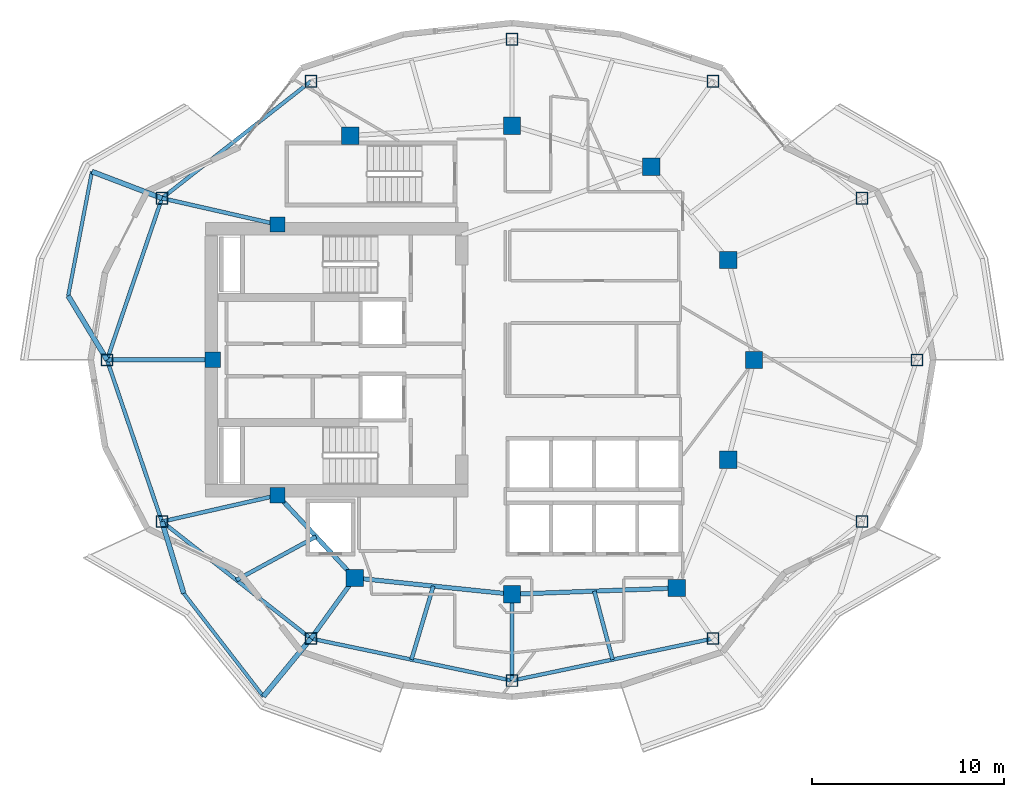
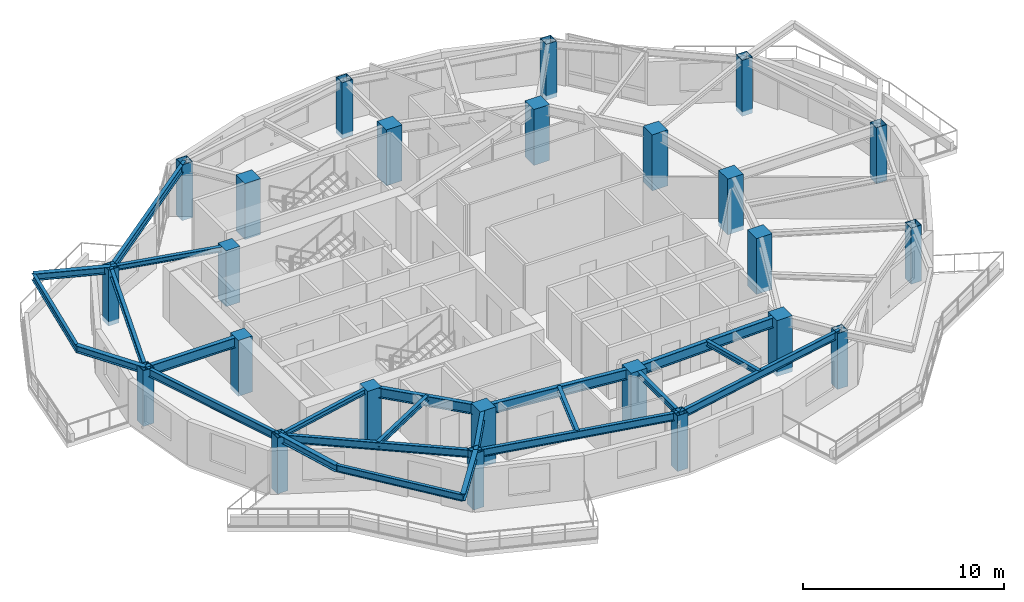
# One storey, part 1 of 13: 24 columns, 23 beams.
"""IFC4 building model written with IfcOpenShell, lengths in metres."""

from ifc_helpers import new_model, si_unit, direction, frame, origin, origin_2d, place, context, subcontext, project, spatial, rectangle, hollow_rectangle, i_section, extrude, material, material_profile, profile_set, type_object, element, save


model = new_model("IFC4")

# Units and contexts
model_context = context("Model", 3, precision=1e-05, world=origin(), true_north=direction((0.0, 1.0)))
body_context = subcontext(model_context, "Body", "Model", "MODEL_VIEW")
ifc_project = project(units=[si_unit("LENGTHUNIT", "METRE"), si_unit("AREAUNIT", "SQUARE_METRE"), si_unit("VOLUMEUNIT", "CUBIC_METRE"), si_unit("PLANEANGLEUNIT", "RADIAN"), si_unit("MASSUNIT", "GRAM", prefix="KILO")], contexts=[model_context])

# Site, building, storey
site_placement = place(None, origin())
site = spatial("IfcSite", under=ifc_project, at=site_placement, CompositionType="ELEMENT")
building_placement = place(site_placement, origin())
building = spatial("IfcBuilding", under=site, at=building_placement, Name="Kolvaren Gate Tower and Convention Centre", CompositionType="ELEMENT")
storey_placement = place(building_placement, frame((0.0, 0.0, 142.699951171875)))
storey = spatial("IfcBuildingStorey", under=building, at=storey_placement, Name="L36", CompositionType="ELEMENT", Elevation=142.699951171875)

# Columns
ifc_material_1 = material(Name="Structural steel ASTM A1085 Grade A 345 MPa", Category="steel")
ifc_material_profile_1 = material_profile(ifc_material_1, hollow_rectangle(XDim=0.610107421875, YDim=0.610107421875, WallThickness=0.025390625, at=origin_2d()), Name="HSS610X610X25.4")
ifc_profile_set_1 = profile_set([ifc_material_profile_1], Name="Structural steel ASTM A1085 Grade A 345 MPa")
column_type_1 = type_object("IfcColumnType", Name="STR-COL-HSS610", PredefinedType="COLUMN", material=ifc_profile_set_1)
for number, where, z_axis, x_axis, name in (
    (1, (51.21240234375, 27.0, -0.27001953125), (0.0, 0.0, 1.0), (1.0, 0.0, 0.0), "Tower L36 Perimeter Supercolumn TP-01"),
    (2, (48.351806640625, 35.418701171875, -0.27001953125), (0.0, 0.0, 1.0), (1.0, 0.0, 0.0), "Tower L36 Perimeter Supercolumn TP-02"),
    (3, (40.596435546875, 41.509521484375, -0.27001953125), (0.0, 0.0, 1.0), (1.0, 0.0, 0.0), "Tower L36 Perimeter Supercolumn TP-03"),
    (4, (30.125, 43.699951171875, -0.27001953125), (0.0, 0.0, 1.0), (1.0, 0.0, 0.0), "Tower L36 Perimeter Supercolumn TP-04"),
    (5, (19.65380859375, 41.509521484375, -0.27001953125), (0.0, 0.0, 1.0), (1.0, 0.0, 0.0), "Tower L36 Perimeter Supercolumn TP-05"),
    (6, (11.898193359375, 35.418701171875, -0.27001953125), (0.0, 0.0, 1.0), (1.0, 0.0, 0.0), "Tower L36 Perimeter Supercolumn TP-06"),
    (7, (9.03759765625, 27.0, -0.27001953125), (0.0, 0.0, 1.0), (1.0, 0.0, 0.0), "Tower L36 Perimeter Supercolumn TP-07"),
    (8, (11.898193359375, 18.581298828125, -0.27001953125), (0.0, 0.0, 1.0), (1.0, 0.0, 0.0), "Tower L36 Perimeter Supercolumn TP-08"),
    (9, (19.653564453125, 12.490478515625, -0.27001953125), (0.0, 0.0, 1.0), (1.0, 0.0, 0.0), "Tower L36 Perimeter Supercolumn TP-09"),
    (10, (30.125, 10.300048828125, -0.27001953125), (0.0, 0.0, 1.0), (1.0, 0.0, 0.0), "Tower L36 Perimeter Supercolumn TP-10"),
    (11, (40.596435546875, 12.490478515625, -0.27001953125), (0.0, 0.0, 1.0), (1.0, 0.0, 0.0), "Tower L36 Perimeter Supercolumn TP-11"),
    (12, (48.351806640625, 18.581298828125, -0.27001953125), (0.0, 0.0, 1.0), (1.0, 0.0, 0.0), "Tower L36 Perimeter Supercolumn TP-12"),
):
    element("IfcColumn", number, at=place(storey_placement, frame(where, z_axis=z_axis, x_axis=x_axis)), inside=storey, type_object=column_type_1, Name=name, PredefinedType="COLUMN", context=body_context, shape_type="SweptSolid", body=[
        extrude(hollow_rectangle(XDim=0.610107421875, YDim=0.610107421875, WallThickness=0.025390625, at=origin_2d()), origin(), (0.0, 0.0, 1.0), 3.400146484375),
    ])
ifc_material_2 = material(Name="Concrete C60/75", Category="concrete")
ifc_material_profile_2 = material_profile(ifc_material_2, rectangle(XDim=0.89990234375, YDim=0.89990234375, at=origin_2d()), Name="RC-COL-900X900")
ifc_profile_set_2 = profile_set([ifc_material_profile_2], Name="Concrete C60/75")
column_type_2 = type_object("IfcColumnType", Name="STR-COL-RC900", PredefinedType="COLUMN", material=ifc_profile_set_2)
for number, where, z_axis, x_axis, name in (
    (13, (42.72509765625, 27.0, -0.27001953125), (0.0, 0.0, 1.0), (1.0, 0.0, 0.0), "Tower L36 Interior Column TI-01"),
    (14, (41.382080078125, 32.199462890625, -0.27001953125), (0.0, 0.0, 1.0), (1.0, 0.0, 0.0), "Tower L36 Interior Column TI-02"),
    (15, (37.381591796875, 37.054931640625, -0.27001953125), (0.0, 0.0, 1.0), (1.0, 0.0, 0.0), "Tower L36 Interior Column TI-03"),
    (16, (30.125, 39.199951171875, -0.27001953125), (0.0, 0.0, 1.0), (1.0, 0.0, 0.0), "Tower L36 Interior Column TI-04"),
    (17, (21.697998046875, 38.6767578125, -0.27001953125), (0.0, 0.0, 1.0), (1.0, 0.0, 0.0), "Tower L36 Interior Column TI-05"),
    (18, (21.93212890625, 15.647705078125, -0.27001953125), (0.0, 0.0, 1.0), (1.0, 0.0, 0.0), "Tower L36 Interior Column TI-06"),
    (19, (30.125, 14.800048828125, -0.27001953125), (0.0, 0.0, 1.0), (1.0, 0.0, 0.0), "Tower L36 Interior Column TI-07"),
    (20, (38.6982421875, 15.12060546875, -0.27001953125), (0.0, 0.0, 1.0), (1.0, 0.0, 0.0), "Tower L36 Interior Column TI-08"),
    (21, (41.382080078125, 21.800537109375, -0.27001953125), (0.0, 0.0, 1.0), (1.0, 0.0, 0.0), "Tower L36 Interior Column TI-09"),
):
    element("IfcColumn", number, at=place(storey_placement, frame(where, z_axis=z_axis, x_axis=x_axis)), inside=storey, type_object=column_type_2, Name=name, PredefinedType="COLUMN", context=body_context, shape_type="SweptSolid", body=[
        extrude(rectangle(XDim=0.89990234375, YDim=0.89990234375, at=origin_2d()), origin(), (0.0, 0.0, 1.0), 3.400146484375),
    ])
ifc_material_profile_3 = material_profile(ifc_material_2, rectangle(XDim=0.800048828125, YDim=0.800048828125, at=origin_2d()), Name="RC-COL-800X800")
ifc_profile_set_3 = profile_set([ifc_material_profile_3], Name="Concrete C60/75")
column_type_3 = type_object("IfcColumnType", Name="STR-PIL-RC800", PredefinedType="PILASTER", material=ifc_profile_set_3)
for number, where, z_axis, x_axis, name in (
    (22, (17.9140625, 34.050048828125, -0.27001953125), (0.0, 0.0, 1.0), (1.0, 0.0, 0.0), "Tower L36 Core Boundary Pilaster TC-05"),
    (23, (14.550048828125, 27.0, -0.27001953125), (0.0, 0.0, 1.0), (1.0, 0.0, 0.0), "Tower L36 Core Boundary Pilaster TC-06"),
    (24, (17.9140625, 19.949951171875, -0.27001953125), (0.0, 0.0, 1.0), (1.0, 0.0, 0.0), "Tower L36 Core Boundary Pilaster TC-07"),
):
    element("IfcColumn", number, at=place(storey_placement, frame(where, z_axis=z_axis, x_axis=x_axis)), inside=storey, type_object=column_type_3, Name=name, PredefinedType="PILASTER", context=body_context, shape_type="SweptSolid", body=[
        extrude(rectangle(XDim=0.800048828125, YDim=0.800048828125, at=origin_2d()), origin(), (0.0, 0.0, 1.0), 3.400146484375),
    ])

# Beams
ifc_material_3 = material(Name="Structural steel ASTM A992 Grade 345 MPa", Category="steel")
ifc_material_profile_4 = material_profile(ifc_material_3, i_section(OverallWidth=0.260009765625, OverallDepth=0.419921875, WebThickness=0.013427734375, FlangeThickness=0.0224609375, at=origin_2d()), Name="W410X132")
ifc_profile_set_4 = profile_set([ifc_material_profile_4], Name="Structural steel ASTM A992 Grade 345 MPa")
beam_type_1 = type_object("IfcBeamType", Name="STR-BM-W410X132", PredefinedType="BEAM", material=ifc_profile_set_4)
for number, where, z_axis, x_axis, name in (
    (25, (11.898193359375, 35.418701171875, 2.920654296875), (-0.934406389152, 0.356208786967, 0.0), (-0.356208786967, -0.934406389152, 0.0), "Tower L37 Planted Balcony Outrigger Cantilever BC-2A"),
    (26, (9.03759765625, 27.0, 2.920654296875), (-0.51832946338, 0.855181014401, 0.0), (-0.855181014401, -0.51832946338, 0.0), "Tower L37 Planted Balcony Outrigger Cantilever BC-2B"),
    (27, (11.898193359375, 18.581298828125, 2.920654296875), (0.290155075149, -0.956979640518, 0.0), (0.956979640518, 0.290155075149, 0.0), "Tower L37 Planted Balcony Outrigger Cantilever BC-3A"),
    (28, (19.653564453125, 12.490478515625, 2.920654296875), (-0.634334838323, -0.773058414927, 0.0), (0.773058414927, -0.634334838323, 0.0), "Tower L37 Planted Balcony Outrigger Cantilever BC-3B"),
):
    element("IfcBeam", number, at=place(storey_placement, frame(where, z_axis=z_axis, x_axis=x_axis)), inside=storey, type_object=beam_type_1, Name=name, PredefinedType="BEAM", context=body_context, shape_type="SweptSolid", body=[
        extrude(i_section(OverallWidth=0.260009765625, OverallDepth=0.419921875, WebThickness=0.013427734375, FlangeThickness=0.0224609375, at=origin_2d()), origin(), (0.0, 0.0, 1.0), 3.89990234375),
    ])
ifc_material_profile_5 = material_profile(ifc_material_3, i_section(OverallWidth=0.22998046875, OverallDepth=0.616943359375, WebThickness=0.01318359375, FlangeThickness=0.022216796875, at=origin_2d()), Name="W610X140")
ifc_profile_set_5 = profile_set([ifc_material_profile_5], Name="Structural steel ASTM A992 Grade 345 MPa")
beam_type_2 = type_object("IfcBeamType", Name="STR-BM-W610X140", PredefinedType="BEAM", material=ifc_profile_set_5)
beam_1_placement = place(storey_placement, frame((17.9140625, 19.949951171875, 2.821533203125), z_axis=(0.682557592987, -0.730831808459, 0.0), x_axis=(0.730831808459, 0.682557592987, 0.0)))
element("IfcBeam", 29, at=beam_1_placement, inside=storey, type_object=beam_type_2, Name="Tower L36 Primary Ring Girder G-06", PredefinedType="BEAM", context=body_context, shape_type="SweptSolid", body=[
    extrude(i_section(OverallWidth=0.22998046875, OverallDepth=0.616943359375, WebThickness=0.01318359375, FlangeThickness=0.022216796875, at=origin_2d()), origin(), (0.0, 0.0, 1.0), 5.88671875),
])
beam_2_placement = place(storey_placement, frame((21.93212890625, 15.647705078125, 2.821533203125), z_axis=(0.994690329115, -0.102913308978, 0.0), x_axis=(0.102913308978, 0.994690329115, 0.0)))
element("IfcBeam", 30, at=beam_2_placement, inside=storey, type_object=beam_type_2, Name="Tower L36 Primary Ring Girder G-07", PredefinedType="BEAM", context=body_context, shape_type="SweptSolid", body=[
    extrude(i_section(OverallWidth=0.22998046875, OverallDepth=0.616943359375, WebThickness=0.01318359375, FlangeThickness=0.022216796875, at=origin_2d()), origin(), (0.0, 0.0, 1.0), 8.236572265625),
])
beam_3_placement = place(storey_placement, frame((30.125, 14.800048828125, 2.821533203125), z_axis=(0.999301712453, 0.037364254142, 0.0), x_axis=(-0.037364254142, 0.999301712453, 0.0)))
element("IfcBeam", 31, at=beam_3_placement, inside=storey, type_object=beam_type_2, Name="Tower L36 Primary Ring Girder G-08", PredefinedType="BEAM", context=body_context, shape_type="SweptSolid", body=[
    extrude(i_section(OverallWidth=0.22998046875, OverallDepth=0.616943359375, WebThickness=0.01318359375, FlangeThickness=0.022216796875, at=origin_2d()), origin(), (0.0, 0.0, 1.0), 8.579345703125),
])
beam_4_placement = place(storey_placement, frame((14.550048828125, 27.0, 2.821533203125), z_axis=(-1.0, 0.0, 0.0), x_axis=(0.0, -1.0, 0.0)))
element("IfcBeam", 32, at=beam_4_placement, inside=storey, type_object=beam_type_2, Name="Tower L36 Radial Floor Girder RB-07", PredefinedType="BEAM", context=body_context, shape_type="SweptSolid", body=[
    extrude(i_section(OverallWidth=0.22998046875, OverallDepth=0.616943359375, WebThickness=0.01318359375, FlangeThickness=0.022216796875, at=origin_2d()), origin(), (0.0, 0.0, 1.0), 5.512451171875),
])
beam_5_placement = place(storey_placement, frame((21.93212890625, 15.647705078125, 2.821533203125), z_axis=(-0.585211215329, -0.810880899672, 0.0), x_axis=(0.810880899672, -0.585211215329, 0.0)))
element("IfcBeam", 33, at=beam_5_placement, inside=storey, type_object=beam_type_2, Name="Tower L36 Radial Floor Girder RB-09", PredefinedType="BEAM", context=body_context, shape_type="SweptSolid", body=[
    extrude(i_section(OverallWidth=0.22998046875, OverallDepth=0.616943359375, WebThickness=0.01318359375, FlangeThickness=0.022216796875, at=origin_2d()), origin(), (0.0, 0.0, 1.0), 3.8935546875),
])
ifc_material_profile_6 = material_profile(ifc_material_3, i_section(OverallWidth=0.205078125, OverallDepth=0.31005859375, WebThickness=0.009521484375, FlangeThickness=0.016357421875, at=origin_2d()), Name="W310X74")
ifc_profile_set_6 = profile_set([ifc_material_profile_6], Name="Structural steel ASTM A992 Grade 345 MPa")
beam_type_3 = type_object("IfcBeamType", Name="STR-JS-W310X74", PredefinedType="JOIST", material=ifc_profile_set_6)
for number, where, z_axis, x_axis, name in (
    (34, (17.9140625, 34.050048828125, 2.97509765625), (-0.975083464295, 0.221838314226, 0.0), (-0.221838314226, -0.975083464295, 0.0), "Tower L36 Radial Floor Girder RB-06"),
    (35, (17.9140625, 19.949951171875, 2.97509765625), (-0.975083464295, -0.221838314226, 0.0), (0.221838314226, -0.975083464295, 0.0), "Tower L36 Radial Floor Girder RB-08"),
):
    element("IfcBeam", number, at=place(storey_placement, frame(where, z_axis=z_axis, x_axis=x_axis)), inside=storey, type_object=beam_type_3, Name=name, PredefinedType="JOIST", context=body_context, shape_type="SweptSolid", body=[
        extrude(i_section(OverallWidth=0.205078125, OverallDepth=0.31005859375, WebThickness=0.009521484375, FlangeThickness=0.016357421875, at=origin_2d()), origin(), (0.0, 0.0, 1.0), 6.169677734375),
    ])
beam_6_placement = place(storey_placement, frame((30.125, 14.800048828125, 2.97509765625), z_axis=(0.0, -1.0, 0.0), x_axis=(1.0, 0.0, 0.0)))
element("IfcBeam", 36, at=beam_6_placement, inside=storey, type_object=beam_type_3, Name="Tower L36 Radial Floor Girder RB-10", PredefinedType="JOIST", context=body_context, shape_type="SweptSolid", body=[
    extrude(i_section(OverallWidth=0.205078125, OverallDepth=0.31005859375, WebThickness=0.009521484375, FlangeThickness=0.016357421875, at=origin_2d()), origin(), (0.0, 0.0, 1.0), 4.5),
])
beam_7_placement = place(storey_placement, frame((19.923095703125, 17.798828125, 2.97509765625), z_axis=(-0.877822491981, -0.478986088078, 0.0), x_axis=(0.478986088078, -0.877822491981, 0.0)))
element("IfcBeam", 37, at=beam_7_placement, inside=storey, type_object=beam_type_3, Name="Tower L36 Secondary Composite Floor Joist J-08.1", PredefinedType="JOIST", context=body_context, shape_type="SweptSolid", body=[
    extrude(i_section(OverallWidth=0.205078125, OverallDepth=0.31005859375, WebThickness=0.009521484375, FlangeThickness=0.016357421875, at=origin_2d()), origin(), (0.0, 0.0, 1.0), 4.724365234375),
])
beam_8_placement = place(storey_placement, frame((26.028564453125, 15.223876953125, 2.97509765625), z_axis=(-0.28518274301, -0.958473162425, 0.0), x_axis=(0.958473162425, -0.28518274301, 0.0)))
element("IfcBeam", 38, at=beam_8_placement, inside=storey, type_object=beam_type_3, Name="Tower L36 Secondary Composite Floor Joist J-09.1", PredefinedType="JOIST", context=body_context, shape_type="SweptSolid", body=[
    extrude(i_section(OverallWidth=0.205078125, OverallDepth=0.31005859375, WebThickness=0.009521484375, FlangeThickness=0.016357421875, at=origin_2d()), origin(), (0.0, 0.0, 1.0), 3.994384765625),
])
beam_9_placement = place(storey_placement, frame((34.41162109375, 14.960205078125, 2.97509765625), z_axis=(0.257238365181, -0.966347982602, 0.0), x_axis=(0.966347982602, 0.257238365181, 0.0)))
element("IfcBeam", 39, at=beam_9_placement, inside=storey, type_object=beam_type_3, Name="Tower L36 Secondary Composite Floor Joist J-10.1", PredefinedType="JOIST", context=body_context, shape_type="SweptSolid", body=[
    extrude(i_section(OverallWidth=0.205078125, OverallDepth=0.31005859375, WebThickness=0.009521484375, FlangeThickness=0.016357421875, at=origin_2d()), origin(), (0.0, 0.0, 1.0), 3.68896484375),
])
ifc_material_profile_7 = material_profile(ifc_material_3, i_section(OverallWidth=0.180908203125, OverallDepth=0.4169921875, WebThickness=0.010986328125, FlangeThickness=0.018310546875, at=origin_2d()), Name="W410X85")
ifc_profile_set_7 = profile_set([ifc_material_profile_7], Name="Structural steel ASTM A992 Grade 345 MPa")
beam_type_4 = type_object("IfcBeamType", Name="STR-SP-W410X85", PredefinedType="SPANDREL", material=ifc_profile_set_7)
beam_10_placement = place(storey_placement, frame((8.254150390625, 36.807861328125, 2.922119140625), z_axis=(-0.187866209954, -0.982194627942, 0.0), x_axis=(0.982194627942, -0.187866209954, 0.0)))
element("IfcBeam", 40, at=beam_10_placement, inside=storey, type_object=beam_type_4, Name="Tower L37 Planted Balcony Header Tie Beam BT-2", PredefinedType="SPANDREL", context=body_context, shape_type="SweptSolid", body=[
    extrude(i_section(OverallWidth=0.180908203125, OverallDepth=0.4169921875, WebThickness=0.010986328125, FlangeThickness=0.018310546875, at=origin_2d()), origin(), (0.0, 0.0, 1.0), 6.590087890625),
])
beam_11_placement = place(storey_placement, frame((13.02978515625, 14.84912109375, 2.922119140625), z_axis=(0.611228468279, -0.791454205602, 0.0), x_axis=(0.791454205602, 0.611228468279, 0.0)))
element("IfcBeam", 41, at=beam_11_placement, inside=storey, type_object=beam_type_4, Name="Tower L37 Planted Balcony Header Tie Beam BT-3", PredefinedType="SPANDREL", context=body_context, shape_type="SweptSolid", body=[
    extrude(i_section(OverallWidth=0.180908203125, OverallDepth=0.4169921875, WebThickness=0.010986328125, FlangeThickness=0.018310546875, at=origin_2d()), origin(), (0.0, 0.0, 1.0), 6.78955078125),
])
ifc_material_profile_8 = material_profile(ifc_material_3, i_section(OverallWidth=0.194091796875, OverallDepth=0.468994140625, WebThickness=0.0126953125, FlangeThickness=0.0205078125, at=origin_2d()), Name="W460X106")
ifc_profile_set_8 = profile_set([ifc_material_profile_8], Name="Structural steel ASTM A992 Grade 345 MPa")
beam_type_5 = type_object("IfcBeamType", Name="STR-SP-W460X106", PredefinedType="SPANDREL", material=ifc_profile_set_8)
beam_12_placement = place(storey_placement, frame((19.65380859375, 41.509521484375, 2.8955078125), z_axis=(-0.786460066421, -0.617641128752, 0.0), x_axis=(0.617641128752, -0.786460066421, 0.0)))
element("IfcBeam", 42, at=beam_12_placement, inside=storey, type_object=beam_type_5, Name="Tower L36 Perimeter Spandrel Beam SP-05", PredefinedType="SPANDREL", context=body_context, shape_type="SweptSolid", body=[
    extrude(i_section(OverallWidth=0.194091796875, OverallDepth=0.468994140625, WebThickness=0.0126953125, FlangeThickness=0.0205078125, at=origin_2d()), origin(), (0.0, 0.0, 1.0), 9.861328125),
])
for number, where, z_axis, x_axis, name in (
    (43, (11.898193359375, 35.418701171875, 2.8955078125), (-0.321725023609, -0.946833147489, 0.0), (0.946833147489, -0.321725023609, 0.0), "Tower L36 Perimeter Spandrel Beam SP-06"),
    (44, (9.03759765625, 27.0, 2.8955078125), (0.321725023609, -0.946833147489, 0.0), (0.946833147489, 0.321725023609, 0.0), "Tower L36 Perimeter Spandrel Beam SP-07"),
):
    element("IfcBeam", number, at=place(storey_placement, frame(where, z_axis=z_axis, x_axis=x_axis)), inside=storey, type_object=beam_type_5, Name=name, PredefinedType="SPANDREL", context=body_context, shape_type="SweptSolid", body=[
        extrude(i_section(OverallWidth=0.194091796875, OverallDepth=0.468994140625, WebThickness=0.0126953125, FlangeThickness=0.0205078125, at=origin_2d()), origin(), (0.0, 0.0, 1.0), 8.891357421875),
    ])
beam_13_placement = place(storey_placement, frame((11.898193359375, 18.581298828125, 2.8955078125), z_axis=(0.786450621777, -0.617653154697, 0.0), x_axis=(0.617653154697, 0.786450621777, 0.0)))
element("IfcBeam", 45, at=beam_13_placement, inside=storey, type_object=beam_type_5, Name="Tower L36 Perimeter Spandrel Beam SP-08", PredefinedType="SPANDREL", context=body_context, shape_type="SweptSolid", body=[
    extrude(i_section(OverallWidth=0.194091796875, OverallDepth=0.468994140625, WebThickness=0.0126953125, FlangeThickness=0.0205078125, at=origin_2d()), origin(), (0.0, 0.0, 1.0), 9.861328125),
])
for number, where, z_axis, x_axis, name in (
    (46, (19.653564453125, 12.490478515625, 2.8955078125), (0.978814350133, -0.204749769168, 0.0), (0.204749769168, 0.978814350133, 0.0), "Tower L36 Perimeter Spandrel Beam SP-09"),
    (47, (30.125, 10.300048828125, 2.8955078125), (0.978814350133, 0.204749769168, 0.0), (-0.204749769168, 0.978814350133, 0.0), "Tower L36 Perimeter Spandrel Beam SP-10"),
):
    element("IfcBeam", number, at=place(storey_placement, frame(where, z_axis=z_axis, x_axis=x_axis)), inside=storey, type_object=beam_type_5, Name=name, PredefinedType="SPANDREL", context=body_context, shape_type="SweptSolid", body=[
        extrude(i_section(OverallWidth=0.194091796875, OverallDepth=0.468994140625, WebThickness=0.0126953125, FlangeThickness=0.0205078125, at=origin_2d()), origin(), (0.0, 0.0, 1.0), 10.697998046875),
    ])

save(model, "model.ifc")
